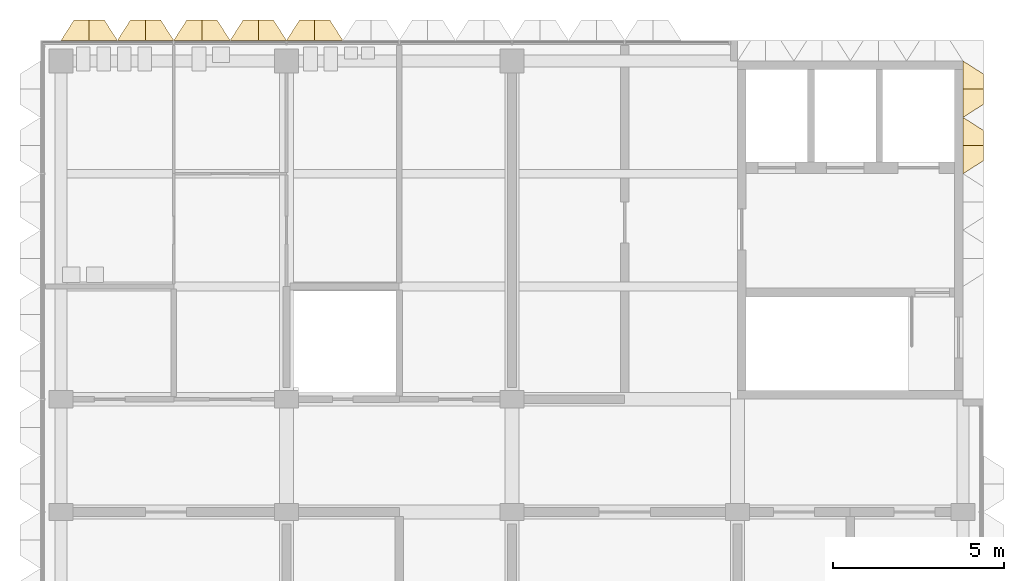
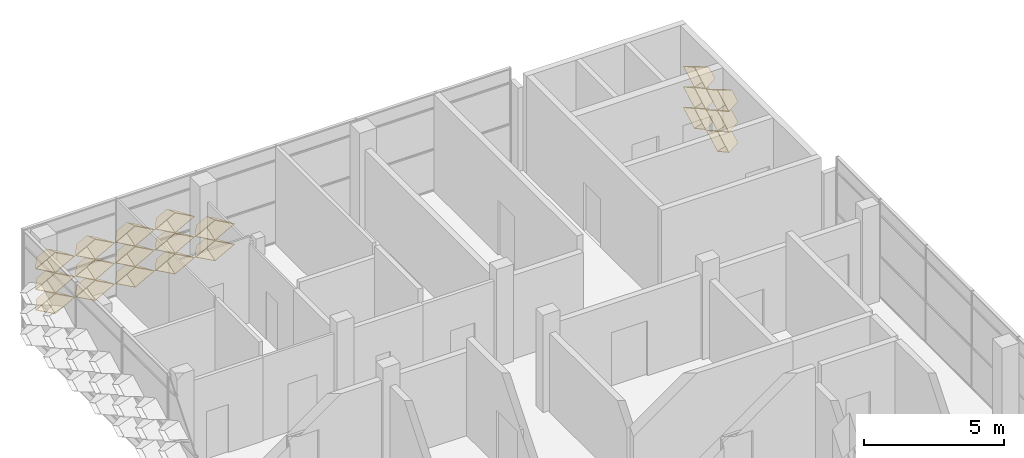
# One storey, part 18 of 21: 20 coverings.
"""IFC4 building model written with IfcOpenShell, lengths in metres."""

import ifcopenshell
import ifcopenshell.guid

model = None  # the IFC model being written
_history = None  # IfcOwnerHistory: only IFC2X3 demands one
_inside = {}  # id of a spatial element -> (the spatial element, [elements in it])
_under = {}  # id of a project, library or spatial element -> (it, [spatial elements below it])
_declared = {}  # id of a project -> (the project, [libraries it declares])
_typed = {}  # id of a type object -> (the type object, [elements of that type])
_made_of = {}  # id of a material, layer set ... -> (it, [elements and type objects made of it])


def new_model(schema):
    """Start an empty IFC model of exactly this schema.

    Asked for "IFC4X3", IfcOpenShell would pick the latest addendum, in which some entities
    have other attributes; the version numbers below select the first issue.
    IFC2X3 requires an IfcOwnerHistory on every rooted entity: one is made here for all.
    """
    global model, _history
    if schema == "IFC4X3":
        model = ifcopenshell.file(schema_version=(4, 3, 0, 0))
    else:
        model = ifcopenshell.file(schema=schema)
    _inside.clear()
    _under.clear()
    _declared.clear()
    _typed.clear()
    _made_of.clear()
    _history = None
    if model.schema == "IFC2X3":
        org = make("IfcOrganization", Name="unknown")
        user = make(
            "IfcPersonAndOrganization",
            ThePerson=make("IfcPerson", FamilyName="unknown"),
            TheOrganization=org,
        )
        app = make(
            "IfcApplication",
            ApplicationDeveloper=org,
            Version="unknown",
            ApplicationFullName="unknown",
            ApplicationIdentifier="unknown",
        )
        _history = make(
            "IfcOwnerHistory",
            OwningUser=user,
            OwningApplication=app,
            ChangeAction="ADDED",
            CreationDate=0,
        )
    return model


def make(cls, **values):
    """One entity of the class cls with the attributes given. An attribute that is None is left unset."""
    return model.create_entity(
        cls, **{name: value for name, value in values.items() if value is not None}
    )


def entity(cls, *values):
    """Any entity or typed value of the class cls, its attributes in the order of the schema. None: left unset."""
    e = model.create_entity(cls)
    for i, value in enumerate(values):
        if value is not None:
            e[i] = value
    return e


def rooted(cls, **values):
    """An entity with a GlobalId (a new one), such as an element, a storey or a relation."""
    return make(cls, GlobalId=ifcopenshell.guid.new(), OwnerHistory=_history, **values)


def si_unit(unit_type, name, prefix=None):
    """IfcSIUnit, for example si_unit("LENGTHUNIT", "METRE", prefix="MILLI")."""
    return make("IfcSIUnit", UnitType=unit_type, Prefix=prefix, Name=name)


def assignment(units):
    """IfcUnitAssignment: the units of a project."""
    return None if units is None else make("IfcUnitAssignment", Units=units)


def point(xyz):
    """IfcCartesianPoint."""
    return None if xyz is None else make("IfcCartesianPoint", Coordinates=xyz)


def direction(xyz):
    """IfcDirection."""
    return None if xyz is None else make("IfcDirection", DirectionRatios=xyz)


def frame(location, z_axis=None, x_axis=None):
    """IfcAxis2Placement3D, a coordinate frame: its origin and axes. An axis left out is left unset."""
    return make(
        "IfcAxis2Placement3D",
        Location=point(location),
        Axis=direction(z_axis),
        RefDirection=direction(x_axis),
    )


def origin():
    """The frame at (0, 0, 0) with its axes left unset."""
    return frame((0.0, 0.0, 0.0))


def place(relative_to, where):
    """IfcLocalPlacement: puts the frame where relative to a parent placement (None: the world)."""
    return make(
        "IfcLocalPlacement", PlacementRelTo=relative_to, RelativePlacement=where
    )


def context(
    kind, dimensions, precision=None, world=None, true_north=None, identifier=None
):
    """IfcGeometricRepresentationContext, for example the 3D "Model" context."""
    return make(
        "IfcGeometricRepresentationContext",
        ContextIdentifier=identifier,
        ContextType=kind,
        CoordinateSpaceDimension=dimensions,
        Precision=precision,
        WorldCoordinateSystem=world,
        TrueNorth=true_north,
    )


def subcontext(parent, identifier, kind, view, scale=None):
    """IfcGeometricRepresentationSubContext, for example "Body" below "Model"."""
    return make(
        "IfcGeometricRepresentationSubContext",
        ContextIdentifier=identifier,
        ContextType=kind,
        ParentContext=parent,
        TargetScale=scale,
        TargetView=view,
    )


def project(units=None, contexts=None):
    """IfcProject with its units and contexts."""
    return rooted(
        "IfcProject",
        Name="project",
        RepresentationContexts=contexts,
        UnitsInContext=assignment(units),
    )


def spatial(cls, under=None, at=None, **own):
    """A site, building, storey or space (cls), placed at a placement, below another one or the project."""
    s = rooted(cls, ObjectPlacement=at, **own)
    if under is not None:
        _under.setdefault(under.id(), (under, []))[1].append(s)
    return s


def shape(context_of_items, identifier, shape_type, items):
    """IfcShapeRepresentation: the items that make up one representation, for example the "Body"."""
    return make(
        "IfcShapeRepresentation",
        ContextOfItems=context_of_items,
        RepresentationIdentifier=identifier,
        RepresentationType=shape_type,
        Items=items,
    )


def material(Name=None, Category=None):
    """IfcMaterial."""
    return make("IfcMaterial", Name=Name, Category=Category)


def layer(
    of_material, thickness, ventilated=None, Name=None, Category=None, Priority=None
):
    """IfcMaterialLayer: one layer of a wall or slab, of a material (None: an air gap)."""
    return make(
        "IfcMaterialLayer",
        Material=of_material,
        LayerThickness=thickness,
        IsVentilated=ventilated,
        Name=Name,
        Category=Category,
        Priority=Priority,
    )


def layer_set(layers, Name=None):
    """IfcMaterialLayerSet."""
    return make("IfcMaterialLayerSet", MaterialLayers=layers, LayerSetName=Name)


def made_of(thing, what):
    """Note that an element or type object is made of a material, layer set ...; save() writes the relation."""
    if what is not None:
        _made_of.setdefault(what.id(), (what, []))[1].append(thing)
    return thing


def type_object(cls, material=None, **own):
    """A type object (cls), such as IfcWallType, which elements share."""
    return made_of(rooted(cls, **own), material)


def element(
    cls,
    number,
    at=None,
    inside=None,
    cuts=None,
    type_object=None,
    material=None,
    context=None,
    identifier="Body",
    shape_type=None,
    held_by="IfcProductDefinitionShape",
    body=None,
    shapes=None,
    **own,
):
    """One element of the class cls, such as IfcWall. Its Tag is "e" and its number.

    at: its placement. inside: the storey or other place that contains it. cuts: it is an
    opening in that element (IfcRelVoidsElement). A single representation is given by context,
    identifier, shape_type and body (its items); several are given by shapes. held_by: the class
    of the entity that holds the representations. save() writes the other relations.
    """
    e = rooted(cls, Tag="e%d" % number, ObjectPlacement=at, **own)
    if body is not None:
        shapes = [shape(context, identifier, shape_type, body)]
    if shapes is not None:
        e.Representation = make(held_by, Representations=shapes)
    if inside is not None:
        _inside.setdefault(inside.id(), (inside, []))[1].append(e)
    if cuts is not None:
        rooted(
            "IfcRelVoidsElement", RelatingBuildingElement=cuts, RelatedOpeningElement=e
        )
    if type_object is not None:
        _typed.setdefault(type_object.id(), (type_object, []))[1].append(e)
    return made_of(e, material)


def aggregate(whole, parts):
    """IfcRelAggregates: a whole, such as a stair, and the parts it consists of."""
    return rooted("IfcRelAggregates", RelatingObject=whole, RelatedObjects=parts)


def save(model, path):
    """Write the relations noted so far, then the file.

    IfcRelAggregates (storeys below a building ...), IfcRelContainedInSpatialStructure (elements
    in a storey), IfcRelDefinesByType, IfcRelAssociatesMaterial and IfcRelDeclares: one each for
    every whole, place, type object, material and project.
    """
    for whole, parts in _under.values():
        aggregate(whole, parts)
    for where, things in _inside.values():
        rooted(
            "IfcRelContainedInSpatialStructure",
            RelatedElements=things,
            RelatingStructure=where,
        )
    for kind, things in _typed.values():
        rooted("IfcRelDefinesByType", RelatedObjects=things, RelatingType=kind)
    for what, things in _made_of.values():
        rooted("IfcRelAssociatesMaterial", RelatedObjects=things, RelatingMaterial=what)
    for by, libraries in _declared.values():
        rooted("IfcRelDeclares", RelatingContext=by, RelatedDefinitions=libraries)
    model.write(path)


model = new_model("IFC4")

# Units and contexts
model_context = context("Model", 3, precision=1e-05, world=origin(), true_north=direction((0.0, 1.0)))
body_context = subcontext(model_context, "Body", "Model", "MODEL_VIEW")
ifc_project = project(units=[si_unit("LENGTHUNIT", "METRE"), si_unit("AREAUNIT", "SQUARE_METRE"), si_unit("VOLUMEUNIT", "CUBIC_METRE"), si_unit("PLANEANGLEUNIT", "RADIAN"), si_unit("MASSUNIT", "GRAM", prefix="KILO")], contexts=[model_context])

# Site, building, storey
site_placement = place(None, origin())
site = spatial("IfcSite", under=ifc_project, at=site_placement, CompositionType="ELEMENT")
building_placement = place(site_placement, origin())
building = spatial("IfcBuilding", under=site, at=building_placement, Name="Lantern Court Research Institute", CompositionType="ELEMENT")
storey_placement = place(building_placement, frame((0.0, 0.0, 41.39990234375)))
storey = spatial("IfcBuildingStorey", under=building, at=storey_placement, Name="L09", CompositionType="ELEMENT", Elevation=41.39990234375)

# Coverings
ifc_material = material(Name="Anodised aluminium", Category="aluminium")
ifc_layer = layer(ifc_material, 0.01611328125)
ifc_layer_set = layer_set([ifc_layer], Name="Anodised aluminium")
covering_type = type_object("IfcCoveringType", Name="Fin cassette 1650 x 900 x 600 aluminium", PredefinedType="CLADDING", material=ifc_layer_set)
covering_1_placement = place(storey_placement, frame((79.199951171875, 20.625, 0.4501953125), z_axis=(1.0, 0.0, 0.0), x_axis=(0.0, 1.0, 0.0)))
cartesian_point_1 = entity("IfcCartesianPoint", [0.824951171875, 0.0])
cartesian_point_2 = entity("IfcCartesianPoint", [0.79150390625, 0.0])
cartesian_point_3 = entity("IfcCartesianPoint", [0.44189453125, 0.0])
cartesian_point_4 = entity("IfcCartesianPoint", [0.43359375, 0.0])
element("IfcCovering", 1, at=covering_1_placement, inside=storey, type_object=covering_type, Name="Fin cassette V5E-L09 1.13", PredefinedType="CLADDING", context=body_context, shape_type="SweptSolid", body=[
    entity("IfcExtrudedAreaSolidTapered", entity("IfcArbitraryProfileDefWithVoids", "AREA", None, entity("IfcPolyline", [cartesian_point_1, entity("IfcCartesianPoint", [0.0, 0.449951171875]), entity("IfcCartesianPoint", [-0.824951171875, 0.0]), entity("IfcCartesianPoint", [0.0, -0.449951171875]), cartesian_point_1]), [entity("IfcPolyline", [cartesian_point_2, entity("IfcCartesianPoint", [0.0, 0.431884765625]), entity("IfcCartesianPoint", [-0.79150390625, 0.0]), entity("IfcCartesianPoint", [0.0, -0.431884765625]), cartesian_point_2])]), entity("IfcAxis2Placement3D", entity("IfcCartesianPoint", [0.0, 0.0, 0.0])), entity("IfcDirection", [0.0, 0.0, 1.0]), 0.60009765625, entity("IfcArbitraryProfileDefWithVoids", "AREA", None, entity("IfcPolyline", [cartesian_point_3, entity("IfcCartesianPoint", [0.0, 0.240966796875]), entity("IfcCartesianPoint", [-0.44189453125, 0.0]), entity("IfcCartesianPoint", [0.0, -0.240966796875]), cartesian_point_3]), [entity("IfcPolyline", [cartesian_point_4, entity("IfcCartesianPoint", [0.0, 0.236572265625]), entity("IfcCartesianPoint", [-0.43359375, 0.0]), entity("IfcCartesianPoint", [0.0, -0.236572265625]), cartesian_point_4])])),
])
covering_2_placement = place(storey_placement, frame((79.199951171875, 22.27490234375, 0.4501953125), z_axis=(1.0, 0.0, 0.0), x_axis=(0.0, 1.0, 0.0)))
cartesian_point_5 = entity("IfcCartesianPoint", [0.824951171875, 0.0])
cartesian_point_6 = entity("IfcCartesianPoint", [0.79150390625, 0.0])
cartesian_point_7 = entity("IfcCartesianPoint", [0.44189453125, 0.0])
cartesian_point_8 = entity("IfcCartesianPoint", [0.43359375, 0.0])
element("IfcCovering", 2, at=covering_2_placement, inside=storey, type_object=covering_type, Name="Fin cassette V5E-L09 1.14", PredefinedType="CLADDING", context=body_context, shape_type="SweptSolid", body=[
    entity("IfcExtrudedAreaSolidTapered", entity("IfcArbitraryProfileDefWithVoids", "AREA", None, entity("IfcPolyline", [cartesian_point_5, entity("IfcCartesianPoint", [0.0, 0.449951171875]), entity("IfcCartesianPoint", [-0.824951171875, 0.0]), entity("IfcCartesianPoint", [0.0, -0.449951171875]), cartesian_point_5]), [entity("IfcPolyline", [cartesian_point_6, entity("IfcCartesianPoint", [0.0, 0.431884765625]), entity("IfcCartesianPoint", [-0.79150390625, 0.0]), entity("IfcCartesianPoint", [0.0, -0.431884765625]), cartesian_point_6])]), entity("IfcAxis2Placement3D", entity("IfcCartesianPoint", [0.0, 0.0, 0.0])), entity("IfcDirection", [0.0, 0.0, 1.0]), 0.60009765625, entity("IfcArbitraryProfileDefWithVoids", "AREA", None, entity("IfcPolyline", [cartesian_point_7, entity("IfcCartesianPoint", [0.0, 0.240966796875]), entity("IfcCartesianPoint", [-0.44189453125, 0.0]), entity("IfcCartesianPoint", [0.0, -0.240966796875]), cartesian_point_7]), [entity("IfcPolyline", [cartesian_point_8, entity("IfcCartesianPoint", [0.0, 0.236572265625]), entity("IfcCartesianPoint", [-0.43359375, 0.0]), entity("IfcCartesianPoint", [0.0, -0.236572265625]), cartesian_point_8])])),
])
covering_3_placement = place(storey_placement, frame((79.199951171875, 20.625, 1.35009765625), z_axis=(1.0, 0.0, 0.0), x_axis=(0.0, 1.0, 0.0)))
cartesian_point_9 = entity("IfcCartesianPoint", [0.824951171875, 0.0])
cartesian_point_10 = entity("IfcCartesianPoint", [0.79150390625, 0.0])
cartesian_point_11 = entity("IfcCartesianPoint", [0.44189453125, 0.0])
cartesian_point_12 = entity("IfcCartesianPoint", [0.43359375, 0.0])
element("IfcCovering", 3, at=covering_3_placement, inside=storey, type_object=covering_type, Name="Fin cassette V5E-L09 2.13", PredefinedType="CLADDING", context=body_context, shape_type="SweptSolid", body=[
    entity("IfcExtrudedAreaSolidTapered", entity("IfcArbitraryProfileDefWithVoids", "AREA", None, entity("IfcPolyline", [cartesian_point_9, entity("IfcCartesianPoint", [0.0, 0.449951171875]), entity("IfcCartesianPoint", [-0.824951171875, 0.0]), entity("IfcCartesianPoint", [0.0, -0.449951171875]), cartesian_point_9]), [entity("IfcPolyline", [cartesian_point_10, entity("IfcCartesianPoint", [0.0, 0.431884765625]), entity("IfcCartesianPoint", [-0.79150390625, 0.0]), entity("IfcCartesianPoint", [0.0, -0.431884765625]), cartesian_point_10])]), entity("IfcAxis2Placement3D", entity("IfcCartesianPoint", [0.0, 0.0, 0.0])), entity("IfcDirection", [0.0, 0.0, 1.0]), 0.60009765625, entity("IfcArbitraryProfileDefWithVoids", "AREA", None, entity("IfcPolyline", [cartesian_point_11, entity("IfcCartesianPoint", [0.0, 0.240966796875]), entity("IfcCartesianPoint", [-0.44189453125, 0.0]), entity("IfcCartesianPoint", [0.0, -0.240966796875]), cartesian_point_11]), [entity("IfcPolyline", [cartesian_point_12, entity("IfcCartesianPoint", [0.0, 0.236572265625]), entity("IfcCartesianPoint", [-0.43359375, 0.0]), entity("IfcCartesianPoint", [0.0, -0.236572265625]), cartesian_point_12])])),
])
covering_4_placement = place(storey_placement, frame((79.199951171875, 22.27490234375, 1.35009765625), z_axis=(1.0, 0.0, 0.0), x_axis=(0.0, 1.0, 0.0)))
cartesian_point_13 = entity("IfcCartesianPoint", [0.824951171875, 0.0])
cartesian_point_14 = entity("IfcCartesianPoint", [0.79150390625, 0.0])
cartesian_point_15 = entity("IfcCartesianPoint", [0.44189453125, 0.0])
cartesian_point_16 = entity("IfcCartesianPoint", [0.43359375, 0.0])
element("IfcCovering", 4, at=covering_4_placement, inside=storey, type_object=covering_type, Name="Fin cassette V5E-L09 2.14", PredefinedType="CLADDING", context=body_context, shape_type="SweptSolid", body=[
    entity("IfcExtrudedAreaSolidTapered", entity("IfcArbitraryProfileDefWithVoids", "AREA", None, entity("IfcPolyline", [cartesian_point_13, entity("IfcCartesianPoint", [0.0, 0.449951171875]), entity("IfcCartesianPoint", [-0.824951171875, 0.0]), entity("IfcCartesianPoint", [0.0, -0.449951171875]), cartesian_point_13]), [entity("IfcPolyline", [cartesian_point_14, entity("IfcCartesianPoint", [0.0, 0.431884765625]), entity("IfcCartesianPoint", [-0.79150390625, 0.0]), entity("IfcCartesianPoint", [0.0, -0.431884765625]), cartesian_point_14])]), entity("IfcAxis2Placement3D", entity("IfcCartesianPoint", [0.0, 0.0, 0.0])), entity("IfcDirection", [0.0, 0.0, 1.0]), 0.60009765625, entity("IfcArbitraryProfileDefWithVoids", "AREA", None, entity("IfcPolyline", [cartesian_point_15, entity("IfcCartesianPoint", [0.0, 0.240966796875]), entity("IfcCartesianPoint", [-0.44189453125, 0.0]), entity("IfcCartesianPoint", [0.0, -0.240966796875]), cartesian_point_15]), [entity("IfcPolyline", [cartesian_point_16, entity("IfcCartesianPoint", [0.0, 0.236572265625]), entity("IfcCartesianPoint", [-0.43359375, 0.0]), entity("IfcCartesianPoint", [0.0, -0.236572265625]), cartesian_point_16])])),
])
covering_5_placement = place(storey_placement, frame((79.199951171875, 20.625, 2.25), z_axis=(1.0, 0.0, 0.0), x_axis=(0.0, 1.0, 0.0)))
cartesian_point_17 = entity("IfcCartesianPoint", [0.824951171875, 0.0])
cartesian_point_18 = entity("IfcCartesianPoint", [0.79150390625, 0.0])
cartesian_point_19 = entity("IfcCartesianPoint", [0.44189453125, 0.0])
cartesian_point_20 = entity("IfcCartesianPoint", [0.43359375, 0.0])
element("IfcCovering", 5, at=covering_5_placement, inside=storey, type_object=covering_type, Name="Fin cassette V5E-L09 3.13", PredefinedType="CLADDING", context=body_context, shape_type="SweptSolid", body=[
    entity("IfcExtrudedAreaSolidTapered", entity("IfcArbitraryProfileDefWithVoids", "AREA", None, entity("IfcPolyline", [cartesian_point_17, entity("IfcCartesianPoint", [0.0, 0.449951171875]), entity("IfcCartesianPoint", [-0.824951171875, 0.0]), entity("IfcCartesianPoint", [0.0, -0.449951171875]), cartesian_point_17]), [entity("IfcPolyline", [cartesian_point_18, entity("IfcCartesianPoint", [0.0, 0.431884765625]), entity("IfcCartesianPoint", [-0.79150390625, 0.0]), entity("IfcCartesianPoint", [0.0, -0.431884765625]), cartesian_point_18])]), entity("IfcAxis2Placement3D", entity("IfcCartesianPoint", [0.0, 0.0, 0.0])), entity("IfcDirection", [0.0, 0.0, 1.0]), 0.60009765625, entity("IfcArbitraryProfileDefWithVoids", "AREA", None, entity("IfcPolyline", [cartesian_point_19, entity("IfcCartesianPoint", [0.0, 0.240966796875]), entity("IfcCartesianPoint", [-0.44189453125, 0.0]), entity("IfcCartesianPoint", [0.0, -0.240966796875]), cartesian_point_19]), [entity("IfcPolyline", [cartesian_point_20, entity("IfcCartesianPoint", [0.0, 0.236572265625]), entity("IfcCartesianPoint", [-0.43359375, 0.0]), entity("IfcCartesianPoint", [0.0, -0.236572265625]), cartesian_point_20])])),
])
covering_6_placement = place(storey_placement, frame((79.199951171875, 22.27490234375, 2.25), z_axis=(1.0, 0.0, 0.0), x_axis=(0.0, 1.0, 0.0)))
cartesian_point_21 = entity("IfcCartesianPoint", [0.824951171875, 0.0])
cartesian_point_22 = entity("IfcCartesianPoint", [0.79150390625, 0.0])
cartesian_point_23 = entity("IfcCartesianPoint", [0.44189453125, 0.0])
cartesian_point_24 = entity("IfcCartesianPoint", [0.43359375, 0.0])
element("IfcCovering", 6, at=covering_6_placement, inside=storey, type_object=covering_type, Name="Fin cassette V5E-L09 3.14", PredefinedType="CLADDING", context=body_context, shape_type="SweptSolid", body=[
    entity("IfcExtrudedAreaSolidTapered", entity("IfcArbitraryProfileDefWithVoids", "AREA", None, entity("IfcPolyline", [cartesian_point_21, entity("IfcCartesianPoint", [0.0, 0.449951171875]), entity("IfcCartesianPoint", [-0.824951171875, 0.0]), entity("IfcCartesianPoint", [0.0, -0.449951171875]), cartesian_point_21]), [entity("IfcPolyline", [cartesian_point_22, entity("IfcCartesianPoint", [0.0, 0.431884765625]), entity("IfcCartesianPoint", [-0.79150390625, 0.0]), entity("IfcCartesianPoint", [0.0, -0.431884765625]), cartesian_point_22])]), entity("IfcAxis2Placement3D", entity("IfcCartesianPoint", [0.0, 0.0, 0.0])), entity("IfcDirection", [0.0, 0.0, 1.0]), 0.60009765625, entity("IfcArbitraryProfileDefWithVoids", "AREA", None, entity("IfcPolyline", [cartesian_point_23, entity("IfcCartesianPoint", [0.0, 0.240966796875]), entity("IfcCartesianPoint", [-0.44189453125, 0.0]), entity("IfcCartesianPoint", [0.0, -0.240966796875]), cartesian_point_23]), [entity("IfcPolyline", [cartesian_point_24, entity("IfcCartesianPoint", [0.0, 0.236572265625]), entity("IfcCartesianPoint", [-0.43359375, 0.0]), entity("IfcCartesianPoint", [0.0, -0.236572265625]), cartesian_point_24])])),
])
covering_7_placement = place(storey_placement, frame((53.625, 23.699951171875, 0.4501953125), z_axis=(0.0, 1.0, 0.0), x_axis=(-1.0, 0.0, 0.0)))
cartesian_point_25 = entity("IfcCartesianPoint", [0.824951171875, 0.0])
cartesian_point_26 = entity("IfcCartesianPoint", [0.79150390625, 0.0])
cartesian_point_27 = entity("IfcCartesianPoint", [0.44189453125, 0.0])
cartesian_point_28 = entity("IfcCartesianPoint", [0.43359375, 0.0])
element("IfcCovering", 7, at=covering_7_placement, inside=storey, type_object=covering_type, Name="Fin cassette V5N-L09 1.33", PredefinedType="CLADDING", context=body_context, shape_type="SweptSolid", body=[
    entity("IfcExtrudedAreaSolidTapered", entity("IfcArbitraryProfileDefWithVoids", "AREA", None, entity("IfcPolyline", [cartesian_point_25, entity("IfcCartesianPoint", [0.0, 0.449951171875]), entity("IfcCartesianPoint", [-0.824951171875, 0.0]), entity("IfcCartesianPoint", [0.0, -0.449951171875]), cartesian_point_25]), [entity("IfcPolyline", [cartesian_point_26, entity("IfcCartesianPoint", [0.0, 0.431884765625]), entity("IfcCartesianPoint", [-0.79150390625, 0.0]), entity("IfcCartesianPoint", [0.0, -0.431884765625]), cartesian_point_26])]), entity("IfcAxis2Placement3D", entity("IfcCartesianPoint", [0.0, 0.0, 0.0])), entity("IfcDirection", [0.0, 0.0, 1.0]), 0.60009765625, entity("IfcArbitraryProfileDefWithVoids", "AREA", None, entity("IfcPolyline", [cartesian_point_27, entity("IfcCartesianPoint", [0.0, 0.240966796875]), entity("IfcCartesianPoint", [-0.44189453125, 0.0]), entity("IfcCartesianPoint", [0.0, -0.240966796875]), cartesian_point_27]), [entity("IfcPolyline", [cartesian_point_28, entity("IfcCartesianPoint", [0.0, 0.236572265625]), entity("IfcCartesianPoint", [-0.43359375, 0.0]), entity("IfcCartesianPoint", [0.0, -0.236572265625]), cartesian_point_28])])),
])
covering_8_placement = place(storey_placement, frame((55.27490234375, 23.699951171875, 0.4501953125), z_axis=(0.0, 1.0, 0.0), x_axis=(-1.0, 0.0, 0.0)))
cartesian_point_29 = entity("IfcCartesianPoint", [0.824951171875, 0.0])
cartesian_point_30 = entity("IfcCartesianPoint", [0.79150390625, 0.0])
cartesian_point_31 = entity("IfcCartesianPoint", [0.44189453125, 0.0])
cartesian_point_32 = entity("IfcCartesianPoint", [0.43359375, 0.0])
element("IfcCovering", 8, at=covering_8_placement, inside=storey, type_object=covering_type, Name="Fin cassette V5N-L09 1.34", PredefinedType="CLADDING", context=body_context, shape_type="SweptSolid", body=[
    entity("IfcExtrudedAreaSolidTapered", entity("IfcArbitraryProfileDefWithVoids", "AREA", None, entity("IfcPolyline", [cartesian_point_29, entity("IfcCartesianPoint", [0.0, 0.449951171875]), entity("IfcCartesianPoint", [-0.824951171875, 0.0]), entity("IfcCartesianPoint", [0.0, -0.449951171875]), cartesian_point_29]), [entity("IfcPolyline", [cartesian_point_30, entity("IfcCartesianPoint", [0.0, 0.431884765625]), entity("IfcCartesianPoint", [-0.79150390625, 0.0]), entity("IfcCartesianPoint", [0.0, -0.431884765625]), cartesian_point_30])]), entity("IfcAxis2Placement3D", entity("IfcCartesianPoint", [0.0, 0.0, 0.0])), entity("IfcDirection", [0.0, 0.0, 1.0]), 0.60009765625, entity("IfcArbitraryProfileDefWithVoids", "AREA", None, entity("IfcPolyline", [cartesian_point_31, entity("IfcCartesianPoint", [0.0, 0.240966796875]), entity("IfcCartesianPoint", [-0.44189453125, 0.0]), entity("IfcCartesianPoint", [0.0, -0.240966796875]), cartesian_point_31]), [entity("IfcPolyline", [cartesian_point_32, entity("IfcCartesianPoint", [0.0, 0.236572265625]), entity("IfcCartesianPoint", [-0.43359375, 0.0]), entity("IfcCartesianPoint", [0.0, -0.236572265625]), cartesian_point_32])])),
])
covering_9_placement = place(storey_placement, frame((56.925048828125, 23.699951171875, 0.4501953125), z_axis=(0.0, 1.0, 0.0), x_axis=(-1.0, 0.0, 0.0)))
cartesian_point_33 = entity("IfcCartesianPoint", [0.824951171875, 0.0])
cartesian_point_34 = entity("IfcCartesianPoint", [0.79150390625, 0.0])
cartesian_point_35 = entity("IfcCartesianPoint", [0.44189453125, 0.0])
cartesian_point_36 = entity("IfcCartesianPoint", [0.43359375, 0.0])
element("IfcCovering", 9, at=covering_9_placement, inside=storey, type_object=covering_type, Name="Fin cassette V5N-L09 1.35", PredefinedType="CLADDING", context=body_context, shape_type="SweptSolid", body=[
    entity("IfcExtrudedAreaSolidTapered", entity("IfcArbitraryProfileDefWithVoids", "AREA", None, entity("IfcPolyline", [cartesian_point_33, entity("IfcCartesianPoint", [0.0, 0.449951171875]), entity("IfcCartesianPoint", [-0.824951171875, 0.0]), entity("IfcCartesianPoint", [0.0, -0.449951171875]), cartesian_point_33]), [entity("IfcPolyline", [cartesian_point_34, entity("IfcCartesianPoint", [0.0, 0.431884765625]), entity("IfcCartesianPoint", [-0.79150390625, 0.0]), entity("IfcCartesianPoint", [0.0, -0.431884765625]), cartesian_point_34])]), entity("IfcAxis2Placement3D", entity("IfcCartesianPoint", [0.0, 0.0, 0.0])), entity("IfcDirection", [0.0, 0.0, 1.0]), 0.60009765625, entity("IfcArbitraryProfileDefWithVoids", "AREA", None, entity("IfcPolyline", [cartesian_point_35, entity("IfcCartesianPoint", [0.0, 0.240966796875]), entity("IfcCartesianPoint", [-0.44189453125, 0.0]), entity("IfcCartesianPoint", [0.0, -0.240966796875]), cartesian_point_35]), [entity("IfcPolyline", [cartesian_point_36, entity("IfcCartesianPoint", [0.0, 0.236572265625]), entity("IfcCartesianPoint", [-0.43359375, 0.0]), entity("IfcCartesianPoint", [0.0, -0.236572265625]), cartesian_point_36])])),
])
covering_10_placement = place(storey_placement, frame((58.574951171875, 23.699951171875, 0.4501953125), z_axis=(0.0, 1.0, 0.0), x_axis=(-1.0, 0.0, 0.0)))
cartesian_point_37 = entity("IfcCartesianPoint", [0.824951171875, 0.0])
cartesian_point_38 = entity("IfcCartesianPoint", [0.79150390625, 0.0])
cartesian_point_39 = entity("IfcCartesianPoint", [0.44189453125, 0.0])
cartesian_point_40 = entity("IfcCartesianPoint", [0.43359375, 0.0])
element("IfcCovering", 10, at=covering_10_placement, inside=storey, type_object=covering_type, Name="Fin cassette V5N-L09 1.36", PredefinedType="CLADDING", context=body_context, shape_type="SweptSolid", body=[
    entity("IfcExtrudedAreaSolidTapered", entity("IfcArbitraryProfileDefWithVoids", "AREA", None, entity("IfcPolyline", [cartesian_point_37, entity("IfcCartesianPoint", [0.0, 0.449951171875]), entity("IfcCartesianPoint", [-0.824951171875, 0.0]), entity("IfcCartesianPoint", [0.0, -0.449951171875]), cartesian_point_37]), [entity("IfcPolyline", [cartesian_point_38, entity("IfcCartesianPoint", [0.0, 0.431884765625]), entity("IfcCartesianPoint", [-0.79150390625, 0.0]), entity("IfcCartesianPoint", [0.0, -0.431884765625]), cartesian_point_38])]), entity("IfcAxis2Placement3D", entity("IfcCartesianPoint", [0.0, 0.0, 0.0])), entity("IfcDirection", [0.0, 0.0, 1.0]), 0.60009765625, entity("IfcArbitraryProfileDefWithVoids", "AREA", None, entity("IfcPolyline", [cartesian_point_39, entity("IfcCartesianPoint", [0.0, 0.240966796875]), entity("IfcCartesianPoint", [-0.44189453125, 0.0]), entity("IfcCartesianPoint", [0.0, -0.240966796875]), cartesian_point_39]), [entity("IfcPolyline", [cartesian_point_40, entity("IfcCartesianPoint", [0.0, 0.236572265625]), entity("IfcCartesianPoint", [-0.43359375, 0.0]), entity("IfcCartesianPoint", [0.0, -0.236572265625]), cartesian_point_40])])),
])
covering_11_placement = place(storey_placement, frame((60.22509765625, 23.699951171875, 0.4501953125), z_axis=(0.0, 1.0, 0.0), x_axis=(-1.0, 0.0, 0.0)))
cartesian_point_41 = entity("IfcCartesianPoint", [0.824951171875, 0.0])
cartesian_point_42 = entity("IfcCartesianPoint", [0.79150390625, 0.0])
cartesian_point_43 = entity("IfcCartesianPoint", [0.44189453125, 0.0])
cartesian_point_44 = entity("IfcCartesianPoint", [0.43359375, 0.0])
element("IfcCovering", 11, at=covering_11_placement, inside=storey, type_object=covering_type, Name="Fin cassette V5N-L09 1.37", PredefinedType="CLADDING", context=body_context, shape_type="SweptSolid", body=[
    entity("IfcExtrudedAreaSolidTapered", entity("IfcArbitraryProfileDefWithVoids", "AREA", None, entity("IfcPolyline", [cartesian_point_41, entity("IfcCartesianPoint", [0.0, 0.449951171875]), entity("IfcCartesianPoint", [-0.824951171875, 0.0]), entity("IfcCartesianPoint", [0.0, -0.449951171875]), cartesian_point_41]), [entity("IfcPolyline", [cartesian_point_42, entity("IfcCartesianPoint", [0.0, 0.431884765625]), entity("IfcCartesianPoint", [-0.79150390625, 0.0]), entity("IfcCartesianPoint", [0.0, -0.431884765625]), cartesian_point_42])]), entity("IfcAxis2Placement3D", entity("IfcCartesianPoint", [0.0, 0.0, 0.0])), entity("IfcDirection", [0.0, 0.0, 1.0]), 0.60009765625, entity("IfcArbitraryProfileDefWithVoids", "AREA", None, entity("IfcPolyline", [cartesian_point_43, entity("IfcCartesianPoint", [0.0, 0.240966796875]), entity("IfcCartesianPoint", [-0.44189453125, 0.0]), entity("IfcCartesianPoint", [0.0, -0.240966796875]), cartesian_point_43]), [entity("IfcPolyline", [cartesian_point_44, entity("IfcCartesianPoint", [0.0, 0.236572265625]), entity("IfcCartesianPoint", [-0.43359375, 0.0]), entity("IfcCartesianPoint", [0.0, -0.236572265625]), cartesian_point_44])])),
])
covering_12_placement = place(storey_placement, frame((53.625, 23.699951171875, 1.35009765625), z_axis=(0.0, 1.0, 0.0), x_axis=(-1.0, 0.0, 0.0)))
cartesian_point_45 = entity("IfcCartesianPoint", [0.824951171875, 0.0])
cartesian_point_46 = entity("IfcCartesianPoint", [0.79150390625, 0.0])
cartesian_point_47 = entity("IfcCartesianPoint", [0.44189453125, 0.0])
cartesian_point_48 = entity("IfcCartesianPoint", [0.43359375, 0.0])
element("IfcCovering", 12, at=covering_12_placement, inside=storey, type_object=covering_type, Name="Fin cassette V5N-L09 2.33", PredefinedType="CLADDING", context=body_context, shape_type="SweptSolid", body=[
    entity("IfcExtrudedAreaSolidTapered", entity("IfcArbitraryProfileDefWithVoids", "AREA", None, entity("IfcPolyline", [cartesian_point_45, entity("IfcCartesianPoint", [0.0, 0.449951171875]), entity("IfcCartesianPoint", [-0.824951171875, 0.0]), entity("IfcCartesianPoint", [0.0, -0.449951171875]), cartesian_point_45]), [entity("IfcPolyline", [cartesian_point_46, entity("IfcCartesianPoint", [0.0, 0.431884765625]), entity("IfcCartesianPoint", [-0.79150390625, 0.0]), entity("IfcCartesianPoint", [0.0, -0.431884765625]), cartesian_point_46])]), entity("IfcAxis2Placement3D", entity("IfcCartesianPoint", [0.0, 0.0, 0.0])), entity("IfcDirection", [0.0, 0.0, 1.0]), 0.60009765625, entity("IfcArbitraryProfileDefWithVoids", "AREA", None, entity("IfcPolyline", [cartesian_point_47, entity("IfcCartesianPoint", [0.0, 0.240966796875]), entity("IfcCartesianPoint", [-0.44189453125, 0.0]), entity("IfcCartesianPoint", [0.0, -0.240966796875]), cartesian_point_47]), [entity("IfcPolyline", [cartesian_point_48, entity("IfcCartesianPoint", [0.0, 0.236572265625]), entity("IfcCartesianPoint", [-0.43359375, 0.0]), entity("IfcCartesianPoint", [0.0, -0.236572265625]), cartesian_point_48])])),
])
covering_13_placement = place(storey_placement, frame((55.27490234375, 23.699951171875, 1.35009765625), z_axis=(0.0, 1.0, 0.0), x_axis=(-1.0, 0.0, 0.0)))
cartesian_point_49 = entity("IfcCartesianPoint", [0.824951171875, 0.0])
cartesian_point_50 = entity("IfcCartesianPoint", [0.79150390625, 0.0])
cartesian_point_51 = entity("IfcCartesianPoint", [0.44189453125, 0.0])
cartesian_point_52 = entity("IfcCartesianPoint", [0.43359375, 0.0])
element("IfcCovering", 13, at=covering_13_placement, inside=storey, type_object=covering_type, Name="Fin cassette V5N-L09 2.34", PredefinedType="CLADDING", context=body_context, shape_type="SweptSolid", body=[
    entity("IfcExtrudedAreaSolidTapered", entity("IfcArbitraryProfileDefWithVoids", "AREA", None, entity("IfcPolyline", [cartesian_point_49, entity("IfcCartesianPoint", [0.0, 0.449951171875]), entity("IfcCartesianPoint", [-0.824951171875, 0.0]), entity("IfcCartesianPoint", [0.0, -0.449951171875]), cartesian_point_49]), [entity("IfcPolyline", [cartesian_point_50, entity("IfcCartesianPoint", [0.0, 0.431884765625]), entity("IfcCartesianPoint", [-0.79150390625, 0.0]), entity("IfcCartesianPoint", [0.0, -0.431884765625]), cartesian_point_50])]), entity("IfcAxis2Placement3D", entity("IfcCartesianPoint", [0.0, 0.0, 0.0])), entity("IfcDirection", [0.0, 0.0, 1.0]), 0.60009765625, entity("IfcArbitraryProfileDefWithVoids", "AREA", None, entity("IfcPolyline", [cartesian_point_51, entity("IfcCartesianPoint", [0.0, 0.240966796875]), entity("IfcCartesianPoint", [-0.44189453125, 0.0]), entity("IfcCartesianPoint", [0.0, -0.240966796875]), cartesian_point_51]), [entity("IfcPolyline", [cartesian_point_52, entity("IfcCartesianPoint", [0.0, 0.236572265625]), entity("IfcCartesianPoint", [-0.43359375, 0.0]), entity("IfcCartesianPoint", [0.0, -0.236572265625]), cartesian_point_52])])),
])
covering_14_placement = place(storey_placement, frame((56.925048828125, 23.699951171875, 1.35009765625), z_axis=(0.0, 1.0, 0.0), x_axis=(-1.0, 0.0, 0.0)))
cartesian_point_53 = entity("IfcCartesianPoint", [0.824951171875, 0.0])
cartesian_point_54 = entity("IfcCartesianPoint", [0.79150390625, 0.0])
cartesian_point_55 = entity("IfcCartesianPoint", [0.44189453125, 0.0])
cartesian_point_56 = entity("IfcCartesianPoint", [0.43359375, 0.0])
element("IfcCovering", 14, at=covering_14_placement, inside=storey, type_object=covering_type, Name="Fin cassette V5N-L09 2.35", PredefinedType="CLADDING", context=body_context, shape_type="SweptSolid", body=[
    entity("IfcExtrudedAreaSolidTapered", entity("IfcArbitraryProfileDefWithVoids", "AREA", None, entity("IfcPolyline", [cartesian_point_53, entity("IfcCartesianPoint", [0.0, 0.449951171875]), entity("IfcCartesianPoint", [-0.824951171875, 0.0]), entity("IfcCartesianPoint", [0.0, -0.449951171875]), cartesian_point_53]), [entity("IfcPolyline", [cartesian_point_54, entity("IfcCartesianPoint", [0.0, 0.431884765625]), entity("IfcCartesianPoint", [-0.79150390625, 0.0]), entity("IfcCartesianPoint", [0.0, -0.431884765625]), cartesian_point_54])]), entity("IfcAxis2Placement3D", entity("IfcCartesianPoint", [0.0, 0.0, 0.0])), entity("IfcDirection", [0.0, 0.0, 1.0]), 0.60009765625, entity("IfcArbitraryProfileDefWithVoids", "AREA", None, entity("IfcPolyline", [cartesian_point_55, entity("IfcCartesianPoint", [0.0, 0.240966796875]), entity("IfcCartesianPoint", [-0.44189453125, 0.0]), entity("IfcCartesianPoint", [0.0, -0.240966796875]), cartesian_point_55]), [entity("IfcPolyline", [cartesian_point_56, entity("IfcCartesianPoint", [0.0, 0.236572265625]), entity("IfcCartesianPoint", [-0.43359375, 0.0]), entity("IfcCartesianPoint", [0.0, -0.236572265625]), cartesian_point_56])])),
])
covering_15_placement = place(storey_placement, frame((58.574951171875, 23.699951171875, 1.35009765625), z_axis=(0.0, 1.0, 0.0), x_axis=(-1.0, 0.0, 0.0)))
cartesian_point_57 = entity("IfcCartesianPoint", [0.824951171875, 0.0])
cartesian_point_58 = entity("IfcCartesianPoint", [0.79150390625, 0.0])
cartesian_point_59 = entity("IfcCartesianPoint", [0.44189453125, 0.0])
cartesian_point_60 = entity("IfcCartesianPoint", [0.43359375, 0.0])
element("IfcCovering", 15, at=covering_15_placement, inside=storey, type_object=covering_type, Name="Fin cassette V5N-L09 2.36", PredefinedType="CLADDING", context=body_context, shape_type="SweptSolid", body=[
    entity("IfcExtrudedAreaSolidTapered", entity("IfcArbitraryProfileDefWithVoids", "AREA", None, entity("IfcPolyline", [cartesian_point_57, entity("IfcCartesianPoint", [0.0, 0.449951171875]), entity("IfcCartesianPoint", [-0.824951171875, 0.0]), entity("IfcCartesianPoint", [0.0, -0.449951171875]), cartesian_point_57]), [entity("IfcPolyline", [cartesian_point_58, entity("IfcCartesianPoint", [0.0, 0.431884765625]), entity("IfcCartesianPoint", [-0.79150390625, 0.0]), entity("IfcCartesianPoint", [0.0, -0.431884765625]), cartesian_point_58])]), entity("IfcAxis2Placement3D", entity("IfcCartesianPoint", [0.0, 0.0, 0.0])), entity("IfcDirection", [0.0, 0.0, 1.0]), 0.60009765625, entity("IfcArbitraryProfileDefWithVoids", "AREA", None, entity("IfcPolyline", [cartesian_point_59, entity("IfcCartesianPoint", [0.0, 0.240966796875]), entity("IfcCartesianPoint", [-0.44189453125, 0.0]), entity("IfcCartesianPoint", [0.0, -0.240966796875]), cartesian_point_59]), [entity("IfcPolyline", [cartesian_point_60, entity("IfcCartesianPoint", [0.0, 0.236572265625]), entity("IfcCartesianPoint", [-0.43359375, 0.0]), entity("IfcCartesianPoint", [0.0, -0.236572265625]), cartesian_point_60])])),
])
covering_16_placement = place(storey_placement, frame((60.22509765625, 23.699951171875, 1.35009765625), z_axis=(0.0, 1.0, 0.0), x_axis=(-1.0, 0.0, 0.0)))
cartesian_point_61 = entity("IfcCartesianPoint", [0.824951171875, 0.0])
cartesian_point_62 = entity("IfcCartesianPoint", [0.79150390625, 0.0])
cartesian_point_63 = entity("IfcCartesianPoint", [0.44189453125, 0.0])
cartesian_point_64 = entity("IfcCartesianPoint", [0.43359375, 0.0])
element("IfcCovering", 16, at=covering_16_placement, inside=storey, type_object=covering_type, Name="Fin cassette V5N-L09 2.37", PredefinedType="CLADDING", context=body_context, shape_type="SweptSolid", body=[
    entity("IfcExtrudedAreaSolidTapered", entity("IfcArbitraryProfileDefWithVoids", "AREA", None, entity("IfcPolyline", [cartesian_point_61, entity("IfcCartesianPoint", [0.0, 0.449951171875]), entity("IfcCartesianPoint", [-0.824951171875, 0.0]), entity("IfcCartesianPoint", [0.0, -0.449951171875]), cartesian_point_61]), [entity("IfcPolyline", [cartesian_point_62, entity("IfcCartesianPoint", [0.0, 0.431884765625]), entity("IfcCartesianPoint", [-0.79150390625, 0.0]), entity("IfcCartesianPoint", [0.0, -0.431884765625]), cartesian_point_62])]), entity("IfcAxis2Placement3D", entity("IfcCartesianPoint", [0.0, 0.0, 0.0])), entity("IfcDirection", [0.0, 0.0, 1.0]), 0.60009765625, entity("IfcArbitraryProfileDefWithVoids", "AREA", None, entity("IfcPolyline", [cartesian_point_63, entity("IfcCartesianPoint", [0.0, 0.240966796875]), entity("IfcCartesianPoint", [-0.44189453125, 0.0]), entity("IfcCartesianPoint", [0.0, -0.240966796875]), cartesian_point_63]), [entity("IfcPolyline", [cartesian_point_64, entity("IfcCartesianPoint", [0.0, 0.236572265625]), entity("IfcCartesianPoint", [-0.43359375, 0.0]), entity("IfcCartesianPoint", [0.0, -0.236572265625]), cartesian_point_64])])),
])
covering_17_placement = place(storey_placement, frame((53.625, 23.699951171875, 2.25), z_axis=(0.0, 1.0, 0.0), x_axis=(-1.0, 0.0, 0.0)))
cartesian_point_65 = entity("IfcCartesianPoint", [0.824951171875, 0.0])
cartesian_point_66 = entity("IfcCartesianPoint", [0.79150390625, 0.0])
cartesian_point_67 = entity("IfcCartesianPoint", [0.44189453125, 0.0])
cartesian_point_68 = entity("IfcCartesianPoint", [0.43359375, 0.0])
element("IfcCovering", 17, at=covering_17_placement, inside=storey, type_object=covering_type, Name="Fin cassette V5N-L09 3.33", PredefinedType="CLADDING", context=body_context, shape_type="SweptSolid", body=[
    entity("IfcExtrudedAreaSolidTapered", entity("IfcArbitraryProfileDefWithVoids", "AREA", None, entity("IfcPolyline", [cartesian_point_65, entity("IfcCartesianPoint", [0.0, 0.449951171875]), entity("IfcCartesianPoint", [-0.824951171875, 0.0]), entity("IfcCartesianPoint", [0.0, -0.449951171875]), cartesian_point_65]), [entity("IfcPolyline", [cartesian_point_66, entity("IfcCartesianPoint", [0.0, 0.431884765625]), entity("IfcCartesianPoint", [-0.79150390625, 0.0]), entity("IfcCartesianPoint", [0.0, -0.431884765625]), cartesian_point_66])]), entity("IfcAxis2Placement3D", entity("IfcCartesianPoint", [0.0, 0.0, 0.0])), entity("IfcDirection", [0.0, 0.0, 1.0]), 0.60009765625, entity("IfcArbitraryProfileDefWithVoids", "AREA", None, entity("IfcPolyline", [cartesian_point_67, entity("IfcCartesianPoint", [0.0, 0.240966796875]), entity("IfcCartesianPoint", [-0.44189453125, 0.0]), entity("IfcCartesianPoint", [0.0, -0.240966796875]), cartesian_point_67]), [entity("IfcPolyline", [cartesian_point_68, entity("IfcCartesianPoint", [0.0, 0.236572265625]), entity("IfcCartesianPoint", [-0.43359375, 0.0]), entity("IfcCartesianPoint", [0.0, -0.236572265625]), cartesian_point_68])])),
])
covering_18_placement = place(storey_placement, frame((55.27490234375, 23.699951171875, 2.25), z_axis=(0.0, 1.0, 0.0), x_axis=(-1.0, 0.0, 0.0)))
cartesian_point_69 = entity("IfcCartesianPoint", [0.824951171875, 0.0])
cartesian_point_70 = entity("IfcCartesianPoint", [0.79150390625, 0.0])
cartesian_point_71 = entity("IfcCartesianPoint", [0.44189453125, 0.0])
cartesian_point_72 = entity("IfcCartesianPoint", [0.43359375, 0.0])
element("IfcCovering", 18, at=covering_18_placement, inside=storey, type_object=covering_type, Name="Fin cassette V5N-L09 3.34", PredefinedType="CLADDING", context=body_context, shape_type="SweptSolid", body=[
    entity("IfcExtrudedAreaSolidTapered", entity("IfcArbitraryProfileDefWithVoids", "AREA", None, entity("IfcPolyline", [cartesian_point_69, entity("IfcCartesianPoint", [0.0, 0.449951171875]), entity("IfcCartesianPoint", [-0.824951171875, 0.0]), entity("IfcCartesianPoint", [0.0, -0.449951171875]), cartesian_point_69]), [entity("IfcPolyline", [cartesian_point_70, entity("IfcCartesianPoint", [0.0, 0.431884765625]), entity("IfcCartesianPoint", [-0.79150390625, 0.0]), entity("IfcCartesianPoint", [0.0, -0.431884765625]), cartesian_point_70])]), entity("IfcAxis2Placement3D", entity("IfcCartesianPoint", [0.0, 0.0, 0.0])), entity("IfcDirection", [0.0, 0.0, 1.0]), 0.60009765625, entity("IfcArbitraryProfileDefWithVoids", "AREA", None, entity("IfcPolyline", [cartesian_point_71, entity("IfcCartesianPoint", [0.0, 0.240966796875]), entity("IfcCartesianPoint", [-0.44189453125, 0.0]), entity("IfcCartesianPoint", [0.0, -0.240966796875]), cartesian_point_71]), [entity("IfcPolyline", [cartesian_point_72, entity("IfcCartesianPoint", [0.0, 0.236572265625]), entity("IfcCartesianPoint", [-0.43359375, 0.0]), entity("IfcCartesianPoint", [0.0, -0.236572265625]), cartesian_point_72])])),
])
covering_19_placement = place(storey_placement, frame((56.925048828125, 23.699951171875, 2.25), z_axis=(0.0, 1.0, 0.0), x_axis=(-1.0, 0.0, 0.0)))
cartesian_point_73 = entity("IfcCartesianPoint", [0.824951171875, 0.0])
cartesian_point_74 = entity("IfcCartesianPoint", [0.79150390625, 0.0])
cartesian_point_75 = entity("IfcCartesianPoint", [0.44189453125, 0.0])
cartesian_point_76 = entity("IfcCartesianPoint", [0.43359375, 0.0])
element("IfcCovering", 19, at=covering_19_placement, inside=storey, type_object=covering_type, Name="Fin cassette V5N-L09 3.35", PredefinedType="CLADDING", context=body_context, shape_type="SweptSolid", body=[
    entity("IfcExtrudedAreaSolidTapered", entity("IfcArbitraryProfileDefWithVoids", "AREA", None, entity("IfcPolyline", [cartesian_point_73, entity("IfcCartesianPoint", [0.0, 0.449951171875]), entity("IfcCartesianPoint", [-0.824951171875, 0.0]), entity("IfcCartesianPoint", [0.0, -0.449951171875]), cartesian_point_73]), [entity("IfcPolyline", [cartesian_point_74, entity("IfcCartesianPoint", [0.0, 0.431884765625]), entity("IfcCartesianPoint", [-0.79150390625, 0.0]), entity("IfcCartesianPoint", [0.0, -0.431884765625]), cartesian_point_74])]), entity("IfcAxis2Placement3D", entity("IfcCartesianPoint", [0.0, 0.0, 0.0])), entity("IfcDirection", [0.0, 0.0, 1.0]), 0.60009765625, entity("IfcArbitraryProfileDefWithVoids", "AREA", None, entity("IfcPolyline", [cartesian_point_75, entity("IfcCartesianPoint", [0.0, 0.240966796875]), entity("IfcCartesianPoint", [-0.44189453125, 0.0]), entity("IfcCartesianPoint", [0.0, -0.240966796875]), cartesian_point_75]), [entity("IfcPolyline", [cartesian_point_76, entity("IfcCartesianPoint", [0.0, 0.236572265625]), entity("IfcCartesianPoint", [-0.43359375, 0.0]), entity("IfcCartesianPoint", [0.0, -0.236572265625]), cartesian_point_76])])),
])
covering_20_placement = place(storey_placement, frame((58.574951171875, 23.699951171875, 2.25), z_axis=(0.0, 1.0, 0.0), x_axis=(-1.0, 0.0, 0.0)))
cartesian_point_77 = entity("IfcCartesianPoint", [0.824951171875, 0.0])
cartesian_point_78 = entity("IfcCartesianPoint", [0.79150390625, 0.0])
cartesian_point_79 = entity("IfcCartesianPoint", [0.44189453125, 0.0])
cartesian_point_80 = entity("IfcCartesianPoint", [0.43359375, 0.0])
element("IfcCovering", 20, at=covering_20_placement, inside=storey, type_object=covering_type, Name="Fin cassette V5N-L09 3.36", PredefinedType="CLADDING", context=body_context, shape_type="SweptSolid", body=[
    entity("IfcExtrudedAreaSolidTapered", entity("IfcArbitraryProfileDefWithVoids", "AREA", None, entity("IfcPolyline", [cartesian_point_77, entity("IfcCartesianPoint", [0.0, 0.449951171875]), entity("IfcCartesianPoint", [-0.824951171875, 0.0]), entity("IfcCartesianPoint", [0.0, -0.449951171875]), cartesian_point_77]), [entity("IfcPolyline", [cartesian_point_78, entity("IfcCartesianPoint", [0.0, 0.431884765625]), entity("IfcCartesianPoint", [-0.79150390625, 0.0]), entity("IfcCartesianPoint", [0.0, -0.431884765625]), cartesian_point_78])]), entity("IfcAxis2Placement3D", entity("IfcCartesianPoint", [0.0, 0.0, 0.0])), entity("IfcDirection", [0.0, 0.0, 1.0]), 0.60009765625, entity("IfcArbitraryProfileDefWithVoids", "AREA", None, entity("IfcPolyline", [cartesian_point_79, entity("IfcCartesianPoint", [0.0, 0.240966796875]), entity("IfcCartesianPoint", [-0.44189453125, 0.0]), entity("IfcCartesianPoint", [0.0, -0.240966796875]), cartesian_point_79]), [entity("IfcPolyline", [cartesian_point_80, entity("IfcCartesianPoint", [0.0, 0.236572265625]), entity("IfcCartesianPoint", [-0.43359375, 0.0]), entity("IfcCartesianPoint", [0.0, -0.236572265625]), cartesian_point_80])])),
])

save(model, "model.ifc")
